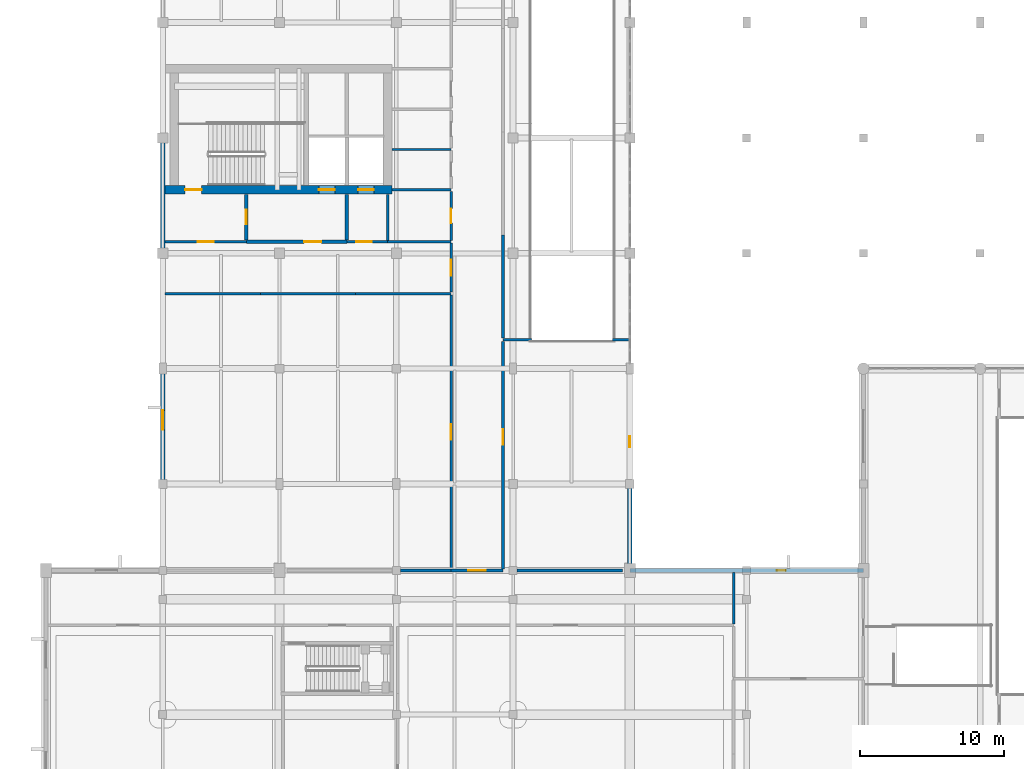
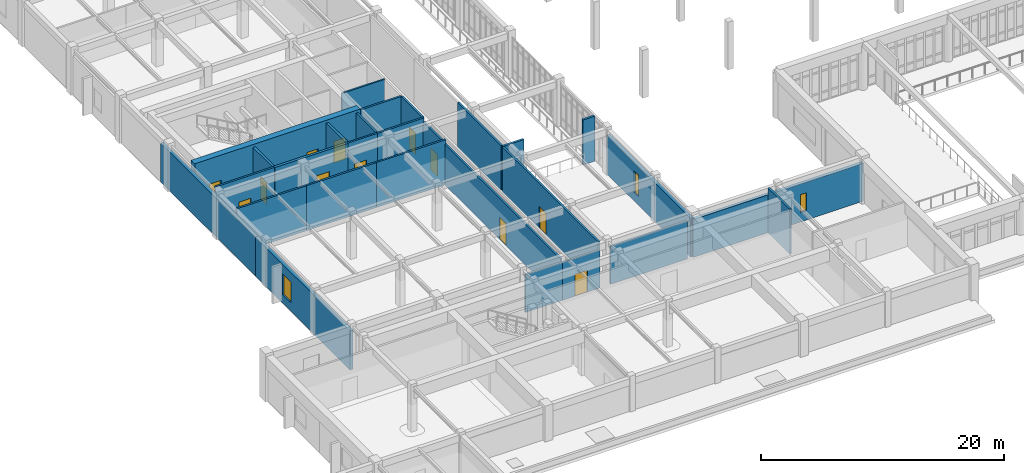
# One storey, part 43 of 61: 28 walls, 12 doors, 3 windows, 15 openings.
"""IFC4 building model written with IfcOpenShell, lengths in metres."""

from ifc_helpers import new_model, si_unit, direction, frame, frame_2d, origin, place, context, subcontext, project, spatial, rectangle, extrude, material, layer, layer_set, type_object, element, fill, save


model = new_model("IFC4")

# Units and contexts
model_context = context("Model", 3, precision=1e-05, world=origin(), true_north=direction((0.0, 1.0)))
body_context = subcontext(model_context, "Body", "Model", "MODEL_VIEW")
ifc_project = project(units=[si_unit("LENGTHUNIT", "METRE"), si_unit("AREAUNIT", "SQUARE_METRE"), si_unit("VOLUMEUNIT", "CUBIC_METRE"), si_unit("PLANEANGLEUNIT", "RADIAN"), si_unit("MASSUNIT", "GRAM", prefix="KILO")], contexts=[model_context])

# Site, building, storey
site_placement = place(None, origin())
site = spatial("IfcSite", under=ifc_project, at=site_placement, CompositionType="ELEMENT")
building_placement = place(site_placement, origin())
building = spatial("IfcBuilding", under=site, at=building_placement, Name="Tarnveldt Square Police Headquarters", CompositionType="ELEMENT")
storey_placement = place(building_placement, frame((0.0, 0.0, 5.39990234375)))
storey = spatial("IfcBuildingStorey", under=building, at=storey_placement, Name="L01", CompositionType="ELEMENT", Elevation=5.39990234375)

# Walls
ifc_material_1 = material(Name="Fire-rated Type X gypsum board on steel studs", Category="steel")
ifc_layer_1 = layer(ifc_material_1, 0.199951171875)
ifc_layer_set_1 = layer_set([ifc_layer_1], Name="Fire-rated Type X gypsum board on steel studs")
wall_type_1 = type_object("IfcWallType", Name="WL-ACOUST-200", PredefinedType="PARTITIONING", material=ifc_layer_set_1)
wall_1_placement = place(storey_placement, frame((39.800048828125, 50.0, 0.0), z_axis=(0.0, 0.0, 1.0), x_axis=(1.0, 0.0, 0.0)))
element("IfcWall", 1, at=wall_1_placement, inside=storey, type_object=wall_type_1, Name="L01 Interior Partition Wall 0241", PredefinedType="PARTITIONING", context=body_context, shape_type="SweptSolid", body=[
    extrude(rectangle(XDim=1.989990234375, YDim=0.199951171875, at=frame_2d((0.9951171875, 0.0))), origin(), (0.0, 0.0, 1.0), 4.52001953125),
])
wall_2_placement = place(storey_placement, frame((47.409912109375, 50.0, 0.0), z_axis=(0.0, 0.0, 1.0), x_axis=(1.0, 0.0, 0.0)))
element("IfcWall", 2, at=wall_2_placement, inside=storey, type_object=wall_type_1, Name="L01 Interior Partition Wall 0242", PredefinedType="PARTITIONING", context=body_context, shape_type="SweptSolid", body=[
    extrude(rectangle(XDim=1.125, YDim=0.199951171875, at=frame_2d((0.5625, 0.0))), origin(), (0.0, 0.0, 1.0), 4.52001953125),
])

# Wall, openings, doors
ifc_material_2 = material(Name="Concrete 50 MPa", Category="concrete")
ifc_layer_2 = layer(ifc_material_2, 0.60009765625)
ifc_layer_set_2 = layer_set([ifc_layer_2], Name="Concrete 50 MPa")
wall_type_2 = type_object("IfcWallType", Name="WL-CORE-600", PredefinedType="SHEAR", material=ifc_layer_set_2)
wall_3_placement = place(storey_placement, frame((16.360107421875, 60.39990234375, 0.0), z_axis=(0.0, 0.0, 1.0), x_axis=(1.0, 0.0, 0.0)))
wall_3 = element("IfcWall", 3, at=wall_3_placement, inside=storey, type_object=wall_type_2, Name="Core K1 South-West Command and Firefighting Core L01 South Shear Wall", PredefinedType="SHEAR", context=body_context, shape_type="SweptSolid", body=[
    extrude(rectangle(XDim=15.739990234375, YDim=0.60009765625, at=frame_2d((7.8701171875, 0.0))), origin(), (0.0, 0.0, 1.0), 4.800048828125),
])
opening_1_placement = place(wall_3_placement, frame((1.389892578125, 0.0, 0.0)))
opening_1 = element("IfcOpeningElement", 4, at=opening_1_placement, cuts=wall_3, Name="Opening D-ST1-L01", PredefinedType="OPENING", context=body_context, shape_type="SweptSolid", body=[
    extrude(rectangle(XDim=1.14990234375, YDim=2.25, at=frame_2d((0.574951171875, 1.125))), frame((0.0, 0.31005859375, 0.0), z_axis=(0.0, -1.0, 0.0), x_axis=(1.0, 0.0, 0.0)), (0.0, 0.0, 1.0), 0.6201171875),
])
opening_2_placement = place(wall_3_placement, frame((10.672607421875, 0.0, 0.0)))
opening_2 = element("IfcOpeningElement", 5, at=opening_2_placement, cuts=wall_3, Name="Opening LD-LF1-L01", PredefinedType="OPENING", context=body_context, shape_type="SweptSolid", body=[
    extrude(rectangle(XDim=1.10009765625, YDim=2.199951171875, at=frame_2d((0.550048828125, 1.10009765625))), frame((0.0, 0.31005859375, 0.0), z_axis=(0.0, -1.0, 0.0), x_axis=(1.0, 0.0, 0.0)), (0.0, 0.0, 1.0), 0.6201171875),
])
opening_3_placement = place(wall_3_placement, frame((13.387451171875, 0.0, 0.0)))
opening_3 = element("IfcOpeningElement", 6, at=opening_3_placement, cuts=wall_3, Name="Opening LD-LP1-L01", PredefinedType="OPENING", context=body_context, shape_type="SweptSolid", body=[
    extrude(rectangle(XDim=1.10009765625, YDim=2.199951171875, at=frame_2d((0.550048828125, 1.10009765625))), frame((0.0, 0.31005859375, 0.0), z_axis=(0.0, -1.0, 0.0), x_axis=(1.0, 0.0, 0.0)), (0.0, 0.0, 1.0), 0.6201171875),
])
ifc_material_3 = material(Name="Insulated hollow metal steel door leaf", Category="steel")
door_type_1 = type_object("IfcDoorType", Name="DR-FD90-1150", OperationType="NOTDEFINED", PredefinedType="DOOR", material=ifc_material_3)
door_1_placement = place(opening_1_placement, origin())
door_1 = element("IfcDoor", 7, at=door_1_placement, inside=storey, type_object=door_type_1, Name="Exit Stair ST1 L01 Fire Door", OperationType="SINGLE_SWING_LEFT", OverallHeight=2.25, OverallWidth=1.14990234375, PredefinedType="DOOR", context=body_context, shape_type="SweptSolid", body=[
    extrude(rectangle(XDim=1.14990234375, YDim=2.25, at=frame_2d((0.574951171875, 1.125))), frame((0.0, 0.02490234375, 0.0), z_axis=(0.0, -1.0, 0.0), x_axis=(1.0, 0.0, 0.0)), (0.0, 0.0, 1.0), 0.050048828125),
])
fill(opening_1, door_1)
ifc_material_4 = material(Name="Steel 350W", Category="steel")
door_type_2 = type_object("IfcDoorType", Name="DR-LD-1100", OperationType="DOUBLE_DOOR_SLIDING", PredefinedType="DOOR", material=ifc_material_4)
door_2_placement = place(opening_2_placement, frame((1.10009765625, 0.0, 0.0), z_axis=(0.0, 0.0, 1.0), x_axis=(-1.0, 0.0, 0.0)))
door_2 = element("IfcDoor", 8, at=door_2_placement, inside=storey, type_object=door_type_2, Name="Elevator LF1 L01 Sliding Landing Door", OperationType="DOUBLE_DOOR_SLIDING", OverallHeight=2.199951171875, OverallWidth=1.10009765625, PredefinedType="DOOR", context=body_context, shape_type="SweptSolid", body=[
    extrude(rectangle(XDim=1.10009765625, YDim=2.199951171875, at=frame_2d((0.550048828125, 1.10009765625))), frame((0.0, 0.02490234375, 0.0), z_axis=(0.0, -1.0, 0.0), x_axis=(1.0, 0.0, 0.0)), (0.0, 0.0, 1.0), 0.050048828125),
])
fill(opening_2, door_2)
door_3_placement = place(opening_3_placement, frame((1.10009765625, 0.0, 0.0), z_axis=(0.0, 0.0, 1.0), x_axis=(-1.0, 0.0, 0.0)))
door_3 = element("IfcDoor", 9, at=door_3_placement, inside=storey, type_object=door_type_2, Name="Elevator LP1 L01 Sliding Landing Door", OperationType="DOUBLE_DOOR_SLIDING", OverallHeight=2.199951171875, OverallWidth=1.10009765625, PredefinedType="DOOR", context=body_context, shape_type="SweptSolid", body=[
    extrude(rectangle(XDim=1.10009765625, YDim=2.199951171875, at=frame_2d((0.550048828125, 1.10009765625))), frame((0.0, 0.02490234375, 0.0), z_axis=(0.0, -1.0, 0.0), x_axis=(1.0, 0.0, 0.0)), (0.0, 0.0, 1.0), 0.050048828125),
])
fill(opening_3, door_3)

# Wall, opening, window
ifc_material_5 = material(Name="Manganese ironspot clay brick masonry 20 MPa", Category="masonry")
ifc_layer_3 = layer(ifc_material_5, 0.300048828125)
ifc_layer_set_3 = layer_set([ifc_layer_3], Name="Manganese ironspot clay brick masonry 20 MPa")
wall_type_3 = type_object("IfcWallType", Name="WL-EXT-BRK300", PredefinedType="SOLIDWALL", material=ifc_layer_set_3)
wall_4_placement = place(storey_placement, frame((64.800048828125, 34.0, 0.0), z_axis=(0.0, 0.0, 1.0), x_axis=(-1.0, 0.0, 0.0)))
wall_4 = element("IfcWall", 10, at=wall_4_placement, inside=storey, type_object=wall_type_3, Name="L01 Brutalist Exterior Wall 0083", PredefinedType="SOLIDWALL", context=body_context, shape_type="SweptSolid", body=[
    extrude(rectangle(XDim=16.199951171875, YDim=0.300048828125, at=frame_2d((8.10009765625, 0.0))), origin(), (0.0, 0.0, 1.0), 3.81201171875),
])
opening_4_placement = place(wall_4_placement, frame((5.39990234375, 0.0, 0.949951171875)))
opening_4 = element("IfcOpeningElement", 11, at=opening_4_placement, cuts=wall_4, Name="Opening W20", PredefinedType="OPENING", context=body_context, shape_type="SweptSolid", body=[
    extrude(rectangle(XDim=0.60009765625, YDim=1.800048828125, at=frame_2d((0.300048828125, 0.89990234375))), frame((0.0, 0.159912109375, 0.0), z_axis=(0.0, -1.0, 0.0), x_axis=(1.0, 0.0, 0.0)), (0.0, 0.0, 1.0), 0.320068359375),
])
ifc_material_6 = material(Name="Triple-glazed low-e laminated vision glass", Category="glass")
window_type_1 = type_object("IfcWindowType", Name="WIN-SLT-060x180", PartitioningType="SINGLE_PANEL", PredefinedType="WINDOW", material=ifc_material_6)
window_1_placement = place(opening_4_placement, origin())
window_1 = element("IfcWindow", 12, at=window_1_placement, inside=storey, type_object=window_type_1, Name="L01 Deep-Reveal Brutalist Window 0020", OverallHeight=1.800048828125, OverallWidth=0.60009765625, PartitioningType="SINGLE_PANEL", PredefinedType="WINDOW", context=body_context, shape_type="SweptSolid", body=[
    extrude(rectangle(XDim=0.60009765625, YDim=1.800048828125, at=frame_2d((0.300048828125, 0.89990234375))), frame((0.0, 0.030029296875, 0.0), z_axis=(0.0, -1.0, 0.0), x_axis=(1.0, 0.0, 0.0)), (0.0, 0.0, 1.0), 0.06005859375),
])
fill(opening_4, window_1)

wall_5_placement = place(storey_placement, frame((48.60009765625, 34.0, 0.0), z_axis=(0.0, 0.0, 1.0), x_axis=(0.0, 1.0, 0.0)))
wall_5 = element("IfcWall", 13, at=wall_5_placement, inside=storey, type_object=wall_type_3, Name="L01 Brutalist Exterior Wall 0084", PredefinedType="SOLIDWALL", context=body_context, shape_type="SweptSolid", body=[
    extrude(rectangle(XDim=13.820068359375, YDim=0.300048828125, at=frame_2d((6.91015625, 0.0))), origin(), (0.0, 0.0, 1.0), 3.912109375),
])
opening_5_placement = place(wall_5_placement, frame((8.550048828125, 0.0, 0.85009765625)))
opening_5 = element("IfcOpeningElement", 14, at=opening_5_placement, cuts=wall_5, Name="Opening W21", PredefinedType="OPENING", context=body_context, shape_type="SweptSolid", body=[
    extrude(rectangle(XDim=0.75, YDim=2.199951171875, at=frame_2d((0.375, 1.10009765625))), frame((0.0, 0.159912109375, 0.0), z_axis=(0.0, -1.0, 0.0), x_axis=(1.0, 0.0, 0.0)), (0.0, 0.0, 1.0), 0.320068359375),
])
window_type_2 = type_object("IfcWindowType", Name="WIN-SLT-075x220", PartitioningType="SINGLE_PANEL", PredefinedType="WINDOW", material=ifc_material_6)
window_2_placement = place(opening_5_placement, origin())
window_2 = element("IfcWindow", 15, at=window_2_placement, inside=storey, type_object=window_type_2, Name="L01 Deep-Reveal Brutalist Window 0021", OverallHeight=2.199951171875, OverallWidth=0.75, PartitioningType="SINGLE_PANEL", PredefinedType="WINDOW", context=body_context, shape_type="SweptSolid", body=[
    extrude(rectangle(XDim=0.75, YDim=2.199951171875, at=frame_2d((0.375, 1.10009765625))), frame((0.0, 0.030029296875, 0.0), z_axis=(0.0, -1.0, 0.0), x_axis=(1.0, 0.0, 0.0)), (0.0, 0.0, 1.0), 0.06005859375),
])
fill(opening_5, window_2)

# Wall
wall_6_placement = place(storey_placement, frame((16.199951171875, 65.199951171875, 0.0), z_axis=(0.0, 0.0, 1.0), x_axis=(0.0, -1.0, 0.0)))
element("IfcWall", 16, at=wall_6_placement, inside=storey, type_object=wall_type_3, Name="L01 Brutalist Exterior Wall 0097", PredefinedType="SOLIDWALL", context=body_context, shape_type="SweptSolid", body=[
    extrude(rectangle(XDim=15.599853515625, YDim=0.300048828125, at=frame_2d((7.7998046875, 0.0))), origin(), (0.0, 0.0, 1.0), 3.912109375),
])

# Wall, opening, window
wall_7_placement = place(storey_placement, frame((16.199951171875, 49.60009765625, 0.0), z_axis=(0.0, 0.0, 1.0), x_axis=(0.0, -1.0, 0.0)))
wall_7 = element("IfcWall", 17, at=wall_7_placement, inside=storey, type_object=wall_type_3, Name="L01 Brutalist Exterior Wall 0098", PredefinedType="SOLIDWALL", context=body_context, shape_type="SweptSolid", body=[
    extrude(rectangle(XDim=15.60009765625, YDim=0.300048828125, at=frame_2d((7.800048828125, 0.0))), origin(), (0.0, 0.0, 1.0), 3.912109375),
])
opening_6_placement = place(wall_7_placement, frame((4.5, 0.0, 0.85009765625)))
opening_6 = element("IfcOpeningElement", 18, at=opening_6_placement, cuts=wall_7, Name="Opening W06", PredefinedType="OPENING", context=body_context, shape_type="SweptSolid", body=[
    extrude(rectangle(XDim=1.35009765625, YDim=2.10009765625, at=frame_2d((0.675048828125, 1.050048828125))), frame((0.0, 0.159912109375, 0.0), z_axis=(0.0, -1.0, 0.0), x_axis=(1.0, 0.0, 0.0)), (0.0, 0.0, 1.0), 0.320068359375),
])
window_type_3 = type_object("IfcWindowType", Name="WIN-DR-135x210", PartitioningType="DOUBLE_PANEL_VERTICAL", PredefinedType="WINDOW", material=ifc_material_6)
window_3_placement = place(opening_6_placement, origin())
window_3 = element("IfcWindow", 19, at=window_3_placement, inside=storey, type_object=window_type_3, Name="L01 Deep-Reveal Brutalist Window 0030", OverallHeight=2.10009765625, OverallWidth=1.35009765625, PartitioningType="DOUBLE_PANEL_VERTICAL", PredefinedType="WINDOW", context=body_context, shape_type="SweptSolid", body=[
    extrude(rectangle(XDim=1.35009765625, YDim=2.10009765625, at=frame_2d((0.675048828125, 1.050048828125))), frame((0.0, 0.030029296875, 0.0), z_axis=(0.0, -1.0, 0.0), x_axis=(1.0, 0.0, 0.0)), (0.0, 0.0, 1.0), 0.06005859375),
])
fill(opening_6, window_3)

# Walls
ifc_layer_4 = layer(ifc_material_1, 0.179931640625)
ifc_layer_set_4 = layer_set([ifc_layer_4], Name="Fire-rated Type X gypsum board on steel studs")
wall_type_4 = type_object("IfcWallType", Name="WL-FIRE-180", PredefinedType="PARTITIONING", material=ifc_layer_set_4)
wall_8_placement = place(storey_placement, frame((32.68310546875, 34.0, 0.0), z_axis=(0.0, 0.0, 1.0), x_axis=(1.0, 0.0, 0.0)))
element("IfcWall", 20, at=wall_8_placement, inside=storey, type_object=wall_type_4, Name="L01 Interior Partition Wall 0218", PredefinedType="PARTITIONING", context=body_context, shape_type="SweptSolid", body=[
    extrude(rectangle(XDim=3.516845703125, YDim=0.179931640625, at=frame_2d((1.75830078125, 0.0))), origin(), (0.0, 0.0, 1.0), 3.81201171875),
])
for number, where, z_axis, x_axis, name in (
    (21, (16.35791015625, 53.199951171875, 0.0), (0.0, 0.0, 1.0), (1.0, 0.0, 0.0), "L01 Interior Partition Wall 0219"),
    (22, (22.971923828125, 53.199951171875, 0.0), (0.0, 0.0, 1.0), (1.0, 0.0, 0.0), "L01 Interior Partition Wall 0220"),
    (23, (29.5859375, 53.199951171875, 0.0), (0.0, 0.0, 1.0), (1.0, 0.0, 0.0), "L01 Interior Partition Wall 0221"),
):
    element("IfcWall", number, at=place(storey_placement, frame(where, z_axis=z_axis, x_axis=x_axis)), inside=storey, type_object=wall_type_4, Name=name, PredefinedType="PARTITIONING", context=body_context, shape_type="SweptSolid", body=[
        extrude(rectangle(XDim=6.614013671875, YDim=0.179931640625, at=frame_2d((3.30712890625, 0.0))), origin(), (0.0, 0.0, 1.0), 4.52001953125),
    ])

# Wall, opening, door
wall_9_placement = place(storey_placement, frame((16.35791015625, 56.800048828125, 0.0), z_axis=(0.0, 0.0, 1.0), x_axis=(1.0, 0.0, 0.0)))
wall_9 = element("IfcWall", 24, at=wall_9_placement, inside=storey, type_object=wall_type_4, Name="L01 Interior Partition Wall 0222", PredefinedType="PARTITIONING", context=body_context, shape_type="SweptSolid", body=[
    extrude(rectangle(XDim=5.64208984375, YDim=0.179931640625, at=frame_2d((2.821044921875, 0.0))), origin(), (0.0, 0.0, 1.0), 4.52001953125),
])
opening_7_placement = place(wall_9_placement, frame((2.27099609375, 0.0, 0.0)))
opening_7 = element("IfcOpeningElement", 25, at=opening_7_placement, cuts=wall_9, Name="Opening D15", PredefinedType="OPENING", context=body_context, shape_type="SweptSolid", body=[
    extrude(rectangle(XDim=1.10009765625, YDim=2.199951171875, at=frame_2d((0.550048828125, 1.10009765625))), frame((0.0, 0.099853515625, 0.0), z_axis=(0.0, -1.0, 0.0), x_axis=(1.0, 0.0, 0.0)), (0.0, 0.0, 1.0), 0.199951171875),
])
door_type_3 = type_object("IfcDoorType", Name="DR-FD60-1100", OperationType="NOTDEFINED", PredefinedType="DOOR", material=ifc_material_3)
door_4_placement = place(opening_7_placement, frame((1.10009765625, 0.0, 0.0), z_axis=(0.0, 0.0, 1.0), x_axis=(-1.0, 0.0, 0.0)))
door_4 = element("IfcDoor", 26, at=door_4_placement, inside=storey, type_object=door_type_3, Name="Core Stair Lobby K1-L01 Door", OperationType="SINGLE_SWING_RIGHT", OverallHeight=2.199951171875, OverallWidth=1.10009765625, PredefinedType="DOOR", context=body_context, shape_type="SweptSolid", body=[
    extrude(rectangle(XDim=1.10009765625, YDim=2.199951171875, at=frame_2d((0.550048828125, 1.10009765625))), frame((0.0, 0.02490234375, 0.0), z_axis=(0.0, -1.0, 0.0), x_axis=(1.0, 0.0, 0.0)), (0.0, 0.0, 1.0), 0.050048828125),
])
fill(opening_7, door_4)

wall_10_placement = place(storey_placement, frame((28.97509765625, 56.800048828125, 0.0), z_axis=(0.0, 0.0, 1.0), x_axis=(1.0, 0.0, 0.0)))
wall_10 = element("IfcWall", 27, at=wall_10_placement, inside=storey, type_object=wall_type_4, Name="L01 Interior Partition Wall 0230", PredefinedType="PARTITIONING", context=body_context, shape_type="SweptSolid", body=[
    extrude(rectangle(XDim=2.824951171875, YDim=0.179931640625, at=frame_2d((1.41259765625, 0.0))), origin(), (0.0, 0.0, 1.0), 4.52001953125),
])
opening_8_placement = place(wall_10_placement, frame((0.636474609375, 0.0, 0.0)))
opening_8 = element("IfcOpeningElement", 28, at=opening_8_placement, cuts=wall_10, Name="Opening D15", PredefinedType="OPENING", context=body_context, shape_type="SweptSolid", body=[
    extrude(rectangle(XDim=1.10009765625, YDim=2.199951171875, at=frame_2d((0.550048828125, 1.10009765625))), frame((0.0, 0.099853515625, 0.0), z_axis=(0.0, -1.0, 0.0), x_axis=(1.0, 0.0, 0.0)), (0.0, 0.0, 1.0), 0.199951171875),
])
door_5_placement = place(opening_8_placement, frame((1.10009765625, 0.0, 0.0), z_axis=(0.0, 0.0, 1.0), x_axis=(-1.0, 0.0, 0.0)))
door_5 = element("IfcDoor", 29, at=door_5_placement, inside=storey, type_object=door_type_3, Name="Passenger Lift Lobby K1-L01 Door", OperationType="SINGLE_SWING_LEFT", OverallHeight=2.199951171875, OverallWidth=1.10009765625, PredefinedType="DOOR", context=body_context, shape_type="SweptSolid", body=[
    extrude(rectangle(XDim=1.10009765625, YDim=2.199951171875, at=frame_2d((0.550048828125, 1.10009765625))), frame((0.0, 0.02490234375, 0.0), z_axis=(0.0, -1.0, 0.0), x_axis=(1.0, 0.0, 0.0)), (0.0, 0.0, 1.0), 0.050048828125),
])
fill(opening_8, door_5)

# Walls
wall_11_placement = place(storey_placement, frame((31.800048828125, 56.800048828125, 0.0), z_axis=(0.0, 0.0, 1.0), x_axis=(1.0, 0.0, 0.0)))
element("IfcWall", 30, at=wall_11_placement, inside=storey, type_object=wall_type_4, Name="L01 Interior Partition Wall 0233", PredefinedType="PARTITIONING", context=body_context, shape_type="SweptSolid", body=[
    extrude(rectangle(XDim=4.39990234375, YDim=0.179931640625, at=frame_2d((2.199951171875, 0.0))), origin(), (0.0, 0.0, 1.0), 4.52001953125),
])
wall_12_placement = place(storey_placement, frame((32.10009765625, 60.39990234375, 0.0), z_axis=(0.0, 0.0, 1.0), x_axis=(1.0, 0.0, 0.0)))
element("IfcWall", 31, at=wall_12_placement, inside=storey, type_object=wall_type_4, Name="L01 Interior Partition Wall 0234", PredefinedType="PARTITIONING", context=body_context, shape_type="SweptSolid", body=[
    extrude(rectangle(XDim=4.099853515625, YDim=0.179931640625, at=frame_2d((2.0498046875, 0.0))), origin(), (0.0, 0.0, 1.0), 4.52001953125),
])

# Wall, opening, door
wall_13_placement = place(storey_placement, frame((36.199951171875, 34.0, 0.0), z_axis=(0.0, 0.0, 1.0), x_axis=(1.0, 0.0, 0.0)))
wall_13 = element("IfcWall", 32, at=wall_13_placement, inside=storey, type_object=wall_type_4, Name="L01 Interior Partition Wall 0239", PredefinedType="PARTITIONING", context=body_context, shape_type="SweptSolid", body=[
    extrude(rectangle(XDim=3.60009765625, YDim=0.179931640625, at=frame_2d((1.800048828125, 0.0))), origin(), (0.0, 0.0, 1.0), 3.81201171875),
])
opening_9_placement = place(wall_13_placement, frame((1.199951171875, 0.0, 0.0)))
opening_9 = element("IfcOpeningElement", 33, at=opening_9_placement, cuts=wall_13, Name="Opening D16", PredefinedType="OPENING", context=body_context, shape_type="SweptSolid", body=[
    extrude(rectangle(XDim=1.199951171875, YDim=2.199951171875, at=frame_2d((0.60009765625, 1.10009765625))), frame((0.0, 0.099853515625, 0.0), z_axis=(0.0, -1.0, 0.0), x_axis=(1.0, 0.0, 0.0)), (0.0, 0.0, 1.0), 0.199951171875),
])
door_type_4 = type_object("IfcDoorType", Name="DR-FD60-1200", OperationType="NOTDEFINED", PredefinedType="DOOR", material=ifc_material_3)
door_6_placement = place(opening_9_placement, origin())
door_6 = element("IfcDoor", 34, at=door_6_placement, inside=storey, type_object=door_type_4, Name="Winter-Garden West Balcony Corridor Door", OperationType="SINGLE_SWING_RIGHT", OverallHeight=2.199951171875, OverallWidth=1.199951171875, PredefinedType="DOOR", context=body_context, shape_type="SweptSolid", body=[
    extrude(rectangle(XDim=1.199951171875, YDim=2.199951171875, at=frame_2d((0.60009765625, 1.10009765625))), frame((0.0, 0.02490234375, 0.0), z_axis=(0.0, -1.0, 0.0), x_axis=(1.0, 0.0, 0.0)), (0.0, 0.0, 1.0), 0.050048828125),
])
fill(opening_9, door_6)

# Walls
wall_14_placement = place(storey_placement, frame((40.782958984375, 34.0, 0.0), z_axis=(0.0, 0.0, 1.0), x_axis=(1.0, 0.0, 0.0)))
element("IfcWall", 35, at=wall_14_placement, inside=storey, type_object=wall_type_4, Name="L01 Interior Partition Wall 0240", PredefinedType="PARTITIONING", context=body_context, shape_type="SweptSolid", body=[
    extrude(rectangle(XDim=7.30908203125, YDim=0.179931640625, at=frame_2d((3.654541015625, 0.0))), origin(), (0.0, 0.0, 1.0), 3.81201171875),
])
wall_15_placement = place(storey_placement, frame((31.800048828125, 56.89794921875, 0.0), z_axis=(0.0, 0.0, 1.0), x_axis=(0.0, 1.0, 0.0)))
element("IfcWall", 36, at=wall_15_placement, inside=storey, type_object=wall_type_4, Name="L01 Interior Partition Wall 0269", PredefinedType="PARTITIONING", context=body_context, shape_type="SweptSolid", body=[
    extrude(rectangle(XDim=3.194091796875, YDim=0.179931640625, at=frame_2d((1.59716796875, 0.0))), origin(), (0.0, 0.0, 1.0), 4.52001953125),
])

# Wall, opening, door
wall_16_placement = place(storey_placement, frame((36.199951171875, 34.097900390625, 0.0), z_axis=(0.0, 0.0, 1.0), x_axis=(0.0, 1.0, 0.0)))
wall_16 = element("IfcWall", 37, at=wall_16_placement, inside=storey, type_object=wall_type_4, Name="L01 Interior Partition Wall 0274", PredefinedType="PARTITIONING", context=body_context, shape_type="SweptSolid", body=[
    extrude(rectangle(XDim=19.004150390625, YDim=0.179931640625, at=frame_2d((9.501953125, 0.0))), origin(), (0.0, 0.0, 1.0), 4.10498046875),
])
opening_10_placement = place(wall_16_placement, frame((8.951904296875, 0.0, 0.0)))
opening_10 = element("IfcOpeningElement", 38, at=opening_10_placement, cuts=wall_16, Name="Opening D07", PredefinedType="OPENING", context=body_context, shape_type="SweptSolid", body=[
    extrude(rectangle(XDim=1.10009765625, YDim=2.199951171875, at=frame_2d((0.550048828125, 1.10009765625))), frame((0.0, 0.099853515625, 0.0), z_axis=(0.0, -1.0, 0.0), x_axis=(1.0, 0.0, 0.0)), (0.0, 0.0, 1.0), 0.199951171875),
])
ifc_material_7 = material(Name="Solid core architectural birch door leaf", Category="wood")
door_type_5 = type_object("IfcDoorType", Name="DR-INT-1100", OperationType="NOTDEFINED", PredefinedType="DOOR", material=ifc_material_7)
door_7_placement = place(opening_10_placement, origin())
door_7 = element("IfcDoor", 39, at=door_7_placement, inside=storey, type_object=door_type_5, Name="Traffic Services Operations Bureau Door", OperationType="SINGLE_SWING_RIGHT", OverallHeight=2.199951171875, OverallWidth=1.10009765625, PredefinedType="DOOR", context=body_context, shape_type="SweptSolid", body=[
    extrude(rectangle(XDim=1.10009765625, YDim=2.199951171875, at=frame_2d((0.550048828125, 1.10009765625))), frame((0.0, 0.02490234375, 0.0), z_axis=(0.0, -1.0, 0.0), x_axis=(1.0, 0.0, 0.0)), (0.0, 0.0, 1.0), 0.050048828125),
])
fill(opening_10, door_7)

wall_17_placement = place(storey_placement, frame((36.199951171875, 53.298095703125, 0.0), z_axis=(0.0, 0.0, 1.0), x_axis=(0.0, 1.0, 0.0)))
wall_17 = element("IfcWall", 40, at=wall_17_placement, inside=storey, type_object=wall_type_4, Name="L01 Interior Partition Wall 0275", PredefinedType="PARTITIONING", context=body_context, shape_type="SweptSolid", body=[
    extrude(rectangle(XDim=3.40380859375, YDim=0.179931640625, at=frame_2d((1.701904296875, 0.0))), origin(), (0.0, 0.0, 1.0), 4.158203125),
])
opening_11_placement = place(wall_17_placement, frame((1.152099609375, 0.0, 0.0)))
opening_11 = element("IfcOpeningElement", 41, at=opening_11_placement, cuts=wall_17, Name="Opening D15", PredefinedType="OPENING", context=body_context, shape_type="SweptSolid", body=[
    extrude(rectangle(XDim=1.10009765625, YDim=2.199951171875, at=frame_2d((0.550048828125, 1.10009765625))), frame((0.0, 0.099853515625, 0.0), z_axis=(0.0, -1.0, 0.0), x_axis=(1.0, 0.0, 0.0)), (0.0, 0.0, 1.0), 0.199951171875),
])
door_8_placement = place(opening_11_placement, origin())
door_8 = element("IfcDoor", 42, at=door_8_placement, inside=storey, type_object=door_type_3, Name="Core K1 South Link Corridor L01 Door", OperationType="SINGLE_SWING_LEFT", OverallHeight=2.199951171875, OverallWidth=1.10009765625, PredefinedType="DOOR", context=body_context, shape_type="SweptSolid", body=[
    extrude(rectangle(XDim=1.10009765625, YDim=2.199951171875, at=frame_2d((0.550048828125, 1.10009765625))), frame((0.0, 0.02490234375, 0.0), z_axis=(0.0, -1.0, 0.0), x_axis=(1.0, 0.0, 0.0)), (0.0, 0.0, 1.0), 0.050048828125),
])
fill(opening_11, door_8)

wall_18_placement = place(storey_placement, frame((36.199951171875, 56.89794921875, 0.0), z_axis=(0.0, 0.0, 1.0), x_axis=(0.0, 1.0, 0.0)))
wall_18 = element("IfcWall", 43, at=wall_18_placement, inside=storey, type_object=wall_type_4, Name="L01 Interior Partition Wall 0276", PredefinedType="PARTITIONING", context=body_context, shape_type="SweptSolid", body=[
    extrude(rectangle(XDim=3.404052734375, YDim=0.179931640625, at=frame_2d((1.7021484375, 0.0))), origin(), (0.0, 0.0, 1.0), 4.52001953125),
])
opening_12_placement = place(wall_18_placement, frame((1.201904296875, 0.0, 0.0)))
opening_12 = element("IfcOpeningElement", 44, at=opening_12_placement, cuts=wall_18, Name="Opening D14", PredefinedType="OPENING", context=body_context, shape_type="SweptSolid", body=[
    extrude(rectangle(XDim=1.0, YDim=2.14990234375, at=frame_2d((0.5, 1.074951171875))), frame((0.0, 0.099853515625, 0.0), z_axis=(0.0, -1.0, 0.0), x_axis=(1.0, 0.0, 0.0)), (0.0, 0.0, 1.0), 0.199951171875),
])
door_type_6 = type_object("IfcDoorType", Name="DR-FD60-1000", OperationType="NOTDEFINED", PredefinedType="DOOR", material=ifc_material_3)
door_9_placement = place(opening_12_placement, origin())
door_9 = element("IfcDoor", 45, at=door_9_placement, inside=storey, type_object=door_type_6, Name="Electrical Distribution Room L01 Door", OperationType="SINGLE_SWING_RIGHT", OverallHeight=2.14990234375, OverallWidth=1.0, PredefinedType="DOOR", context=body_context, shape_type="SweptSolid", body=[
    extrude(rectangle(XDim=1.0, YDim=2.14990234375, at=frame_2d((0.5, 1.074951171875))), frame((0.0, 0.02490234375, 0.0), z_axis=(0.0, -1.0, 0.0), x_axis=(1.0, 0.0, 0.0)), (0.0, 0.0, 1.0), 0.050048828125),
])
fill(opening_12, door_9)

wall_19_placement = place(storey_placement, frame((39.800048828125, 34.097900390625, 0.0), z_axis=(0.0, 0.0, 1.0), x_axis=(0.0, 1.0, 0.0)))
wall_19 = element("IfcWall", 46, at=wall_19_placement, inside=storey, type_object=wall_type_4, Name="L01 Interior Partition Wall 0284", PredefinedType="PARTITIONING", context=body_context, shape_type="SweptSolid", body=[
    extrude(rectangle(XDim=15.794189453125, YDim=0.179931640625, at=frame_2d((7.89697265625, 0.0))), origin(), (0.0, 0.0, 1.0), 4.52001953125),
])
opening_13_placement = place(wall_19_placement, frame((8.610595703125, 0.0, 0.0)))
opening_13 = element("IfcOpeningElement", 47, at=opening_13_placement, cuts=wall_19, Name="Opening D07", PredefinedType="OPENING", context=body_context, shape_type="SweptSolid", body=[
    extrude(rectangle(XDim=1.10009765625, YDim=2.199951171875, at=frame_2d((0.550048828125, 1.10009765625))), frame((0.0, 0.099853515625, 0.0), z_axis=(0.0, -1.0, 0.0), x_axis=(1.0, 0.0, 0.0)), (0.0, 0.0, 1.0), 0.199951171875),
])
door_10_placement = place(opening_13_placement, frame((1.10009765625, 0.0, 0.0), z_axis=(0.0, 0.0, 1.0), x_axis=(-1.0, 0.0, 0.0)))
door_10 = element("IfcDoor", 48, at=door_10_placement, inside=storey, type_object=door_type_5, Name="Public Police Museum Reading Room Door", OperationType="SINGLE_SWING_RIGHT", OverallHeight=2.199951171875, OverallWidth=1.10009765625, PredefinedType="DOOR", context=body_context, shape_type="SweptSolid", body=[
    extrude(rectangle(XDim=1.10009765625, YDim=2.199951171875, at=frame_2d((0.550048828125, 1.10009765625))), frame((0.0, 0.02490234375, 0.0), z_axis=(0.0, -1.0, 0.0), x_axis=(1.0, 0.0, 0.0)), (0.0, 0.0, 1.0), 0.050048828125),
])
fill(opening_13, door_10)

# Walls
wall_20_placement = place(storey_placement, frame((39.800048828125, 50.10791015625, 0.0), z_axis=(0.0, 0.0, 1.0), x_axis=(0.0, 1.0, 0.0)))
element("IfcWall", 49, at=wall_20_placement, inside=storey, type_object=wall_type_4, Name="L01 Interior Partition Wall 0285", PredefinedType="PARTITIONING", context=body_context, shape_type="SweptSolid", body=[
    extrude(rectangle(XDim=7.156982421875, YDim=0.179931640625, at=frame_2d((3.57861328125, 0.0))), origin(), (0.0, 0.0, 1.0), 4.52001953125),
])
wall_21_placement = place(storey_placement, frame((55.800048828125, 30.298095703125, 0.0), z_axis=(0.0, 0.0, 1.0), x_axis=(0.0, 1.0, 0.0)))
element("IfcWall", 50, at=wall_21_placement, inside=storey, type_object=wall_type_4, Name="L01 Interior Partition Wall 0298", PredefinedType="PARTITIONING", context=body_context, shape_type="SweptSolid", body=[
    extrude(rectangle(XDim=3.5439453125, YDim=0.179931640625, at=frame_2d((1.77197265625, 0.0))), origin(), (0.0, 0.0, 1.0), 4.52001953125),
])

# Wall, opening, door
ifc_material_8 = material(Name="Concrete block masonry 15 MPa", Category="masonry")
ifc_layer_5 = layer(ifc_material_8, 0.239990234375)
ifc_layer_set_5 = layer_set([ifc_layer_5], Name="Concrete block masonry 15 MPa")
wall_type_5 = type_object("IfcWallType", Name="WL-FIRE-240", PredefinedType="PARTITIONING", material=ifc_layer_set_5)
wall_22_placement = place(storey_placement, frame((22.0, 56.800048828125, 0.0), z_axis=(0.0, 0.0, 1.0), x_axis=(1.0, 0.0, 0.0)))
wall_22 = element("IfcWall", 51, at=wall_22_placement, inside=storey, type_object=wall_type_5, Name="L01 Interior Partition Wall 0228", PredefinedType="PARTITIONING", context=body_context, shape_type="SweptSolid", body=[
    extrude(rectangle(XDim=6.97509765625, YDim=0.239990234375, at=frame_2d((3.487548828125, 0.0))), origin(), (0.0, 0.0, 1.0), 4.52001953125),
])
opening_14_placement = place(wall_22_placement, frame((4.00341796875, 0.0, 0.0)))
opening_14 = element("IfcOpeningElement", 52, at=opening_14_placement, cuts=wall_22, Name="Opening D20", PredefinedType="OPENING", context=body_context, shape_type="SweptSolid", body=[
    extrude(rectangle(XDim=1.199951171875, YDim=2.300048828125, at=frame_2d((0.60009765625, 1.14990234375))), frame((0.0, 0.1298828125, 0.0), z_axis=(0.0, -1.0, 0.0), x_axis=(1.0, 0.0, 0.0)), (0.0, 0.0, 1.0), 0.260009765625),
])
door_type_7 = type_object("IfcDoorType", Name="DR-FD90-1200", OperationType="NOTDEFINED", PredefinedType="DOOR", material=ifc_material_3)
door_11_placement = place(opening_14_placement, frame((1.199951171875, 0.0, 0.0), z_axis=(0.0, 0.0, 1.0), x_axis=(-1.0, 0.0, 0.0)))
door_11 = element("IfcDoor", 53, at=door_11_placement, inside=storey, type_object=door_type_7, Name="Firefighting Lift Lobby K1-L01 Door", OperationType="SINGLE_SWING_LEFT", OverallHeight=2.300048828125, OverallWidth=1.199951171875, PredefinedType="DOOR", context=body_context, shape_type="SweptSolid", body=[
    extrude(rectangle(XDim=1.199951171875, YDim=2.300048828125, at=frame_2d((0.60009765625, 1.14990234375))), frame((0.0, 0.02490234375, 0.0), z_axis=(0.0, -1.0, 0.0), x_axis=(1.0, 0.0, 0.0)), (0.0, 0.0, 1.0), 0.050048828125),
])
fill(opening_14, door_11)

wall_23_placement = place(storey_placement, frame((22.0, 56.927978515625, 0.0), z_axis=(0.0, 0.0, 1.0), x_axis=(0.0, 1.0, 0.0)))
wall_23 = element("IfcWall", 54, at=wall_23_placement, inside=storey, type_object=wall_type_5, Name="L01 Interior Partition Wall 0263", PredefinedType="PARTITIONING", context=body_context, shape_type="SweptSolid", body=[
    extrude(rectangle(XDim=3.1640625, YDim=0.239990234375, at=frame_2d((1.58203125, 0.0))), origin(), (0.0, 0.0, 1.0), 4.52001953125),
])
opening_15_placement = place(wall_23_placement, frame((1.08203125, 0.0, 0.0)))
opening_15 = element("IfcOpeningElement", 55, at=opening_15_placement, cuts=wall_23, Name="Opening D17", PredefinedType="OPENING", context=body_context, shape_type="SweptSolid", body=[
    extrude(rectangle(XDim=1.0, YDim=2.199951171875, at=frame_2d((0.5, 1.10009765625))), frame((0.0, 0.1298828125, 0.0), z_axis=(0.0, -1.0, 0.0), x_axis=(1.0, 0.0, 0.0)), (0.0, 0.0, 1.0), 0.260009765625),
])
door_type_8 = type_object("IfcDoorType", Name="DR-FD90-1000", OperationType="NOTDEFINED", PredefinedType="DOOR", material=ifc_material_3)
door_12_placement = place(opening_15_placement, origin())
door_12 = element("IfcDoor", 56, at=door_12_placement, inside=storey, type_object=door_type_8, Name="Firefighting Lift Lobby K1-L01 Secondary Door", OperationType="SINGLE_SWING_LEFT", OverallHeight=2.199951171875, OverallWidth=1.0, PredefinedType="DOOR", context=body_context, shape_type="SweptSolid", body=[
    extrude(rectangle(XDim=1.0, YDim=2.199951171875, at=frame_2d((0.5, 1.10009765625))), frame((0.0, 0.02490234375, 0.0), z_axis=(0.0, -1.0, 0.0), x_axis=(1.0, 0.0, 0.0)), (0.0, 0.0, 1.0), 0.050048828125),
])
fill(opening_15, door_12)

# Walls
wall_24_placement = place(storey_placement, frame((28.97509765625, 56.927978515625, 0.0), z_axis=(0.0, 0.0, 1.0), x_axis=(0.0, 1.0, 0.0)))
element("IfcWall", 57, at=wall_24_placement, inside=storey, type_object=wall_type_5, Name="L01 Interior Partition Wall 0266", PredefinedType="PARTITIONING", context=body_context, shape_type="SweptSolid", body=[
    extrude(rectangle(XDim=3.1640625, YDim=0.239990234375, at=frame_2d((1.58203125, 0.0))), origin(), (0.0, 0.0, 1.0), 4.52001953125),
])
ifc_layer_6 = layer(ifc_material_8, 0.159912109375)
ifc_layer_set_6 = layer_set([ifc_layer_6], Name="Concrete block masonry 15 MPa")
wall_type_6 = type_object("IfcWallType", Name="WL-WET-160", PredefinedType="PARTITIONING", material=ifc_layer_set_6)
wall_25_placement = place(storey_placement, frame((32.10791015625, 63.199951171875, 0.0), z_axis=(0.0, 0.0, 1.0), x_axis=(1.0, 0.0, 0.0)))
element("IfcWall", 58, at=wall_25_placement, inside=storey, type_object=wall_type_6, Name="L01 Interior Partition Wall 0235", PredefinedType="PARTITIONING", context=body_context, shape_type="SweptSolid", body=[
    extrude(rectangle(XDim=4.092041015625, YDim=0.159912109375, at=frame_2d((2.0458984375, 0.0))), origin(), (0.0, 0.0, 1.0), 4.52001953125),
])

save(model, "model.ifc")
